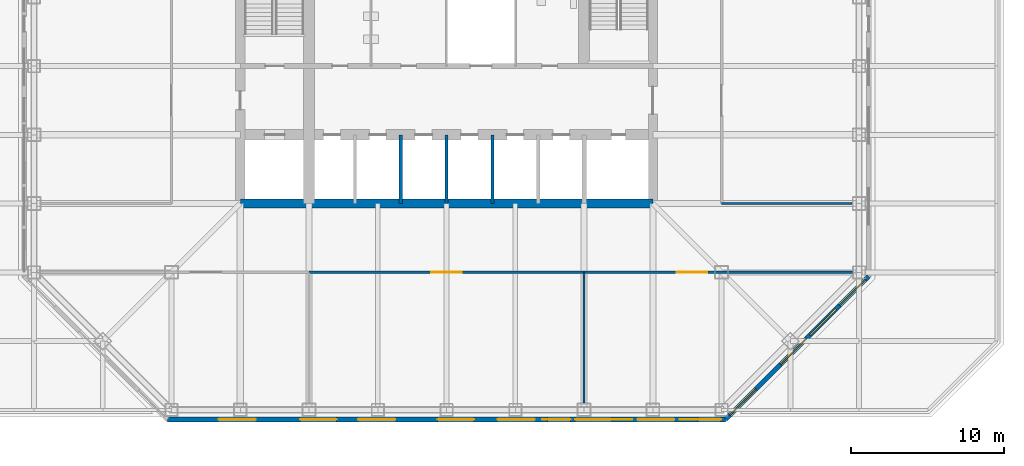
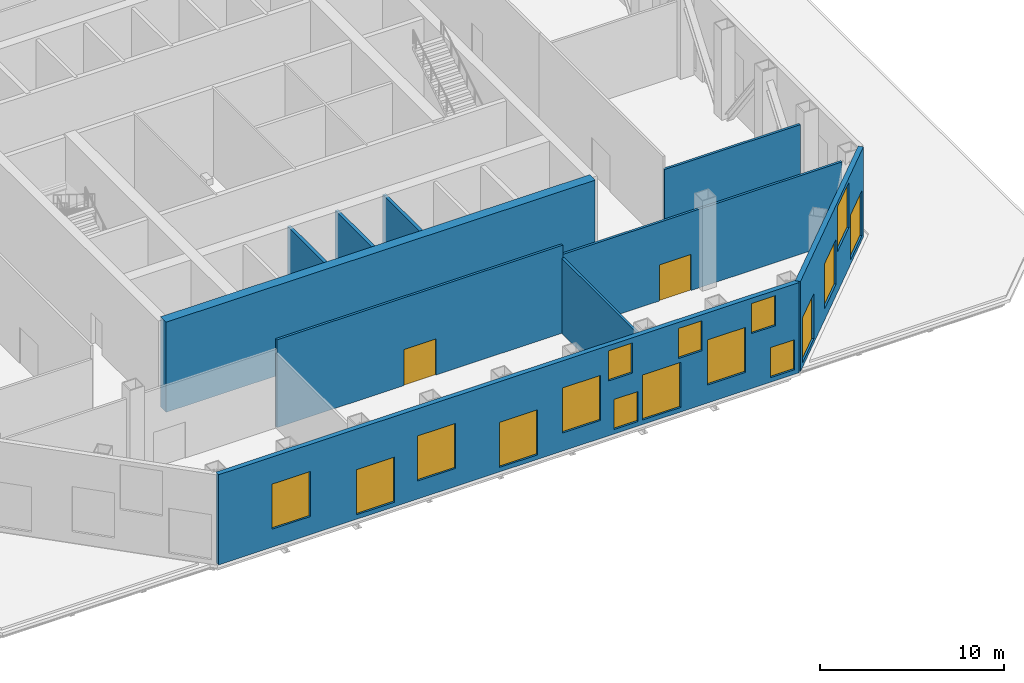
# One storey, part 4 of 10: 16 windows, 10 walls, 2 doors, 18 openings.
"""IFC4 building model written with IfcOpenShell, lengths in metres."""

from ifc_helpers import new_model, si_unit, direction, frame, frame_2d, origin, place, context, subcontext, project, spatial, rectangle, extrude, material, layer, layer_set, type_object, element, fill, save


model = new_model("IFC4")

# Units and contexts
model_context = context("Model", 3, precision=1e-05, world=origin(), true_north=direction((0.0, 1.0)))
body_context = subcontext(model_context, "Body", "Model", "MODEL_VIEW")
ifc_project = project(units=[si_unit("LENGTHUNIT", "METRE"), si_unit("AREAUNIT", "SQUARE_METRE"), si_unit("VOLUMEUNIT", "CUBIC_METRE"), si_unit("PLANEANGLEUNIT", "RADIAN"), si_unit("MASSUNIT", "GRAM", prefix="KILO")], contexts=[model_context])

# Site, building, storey
site_placement = place(None, origin())
site = spatial("IfcSite", under=ifc_project, at=site_placement, CompositionType="ELEMENT")
building_placement = place(site_placement, origin())
building = spatial("IfcBuilding", under=site, at=building_placement, Name="Corais Broadcast Tower", CompositionType="ELEMENT")
storey_placement = place(building_placement, frame((0.0, 0.0, 23.0)))
storey = spatial("IfcBuildingStorey", under=building, at=storey_placement, Name="L04", CompositionType="ELEMENT", Elevation=23.0)

# Walls
ifc_material_1 = material(Name="Concrete C50/60", Category="concrete")
ifc_layer_1 = layer(ifc_material_1, 0.60009765625)
ifc_layer_set_1 = layer_set([ifc_layer_1], Name="Concrete C50/60")
wall_type_1 = type_object("IfcWallType", Name="Core wall 600", PredefinedType="SHEAR", material=ifc_layer_set_1)
wall_1_placement = place(storey_placement, frame((13.5, 13.5, 0.0), z_axis=(0.0, 0.0, 1.0), x_axis=(1.0, 0.0, 0.0)))
element("IfcWall", 1, at=wall_1_placement, inside=storey, type_object=wall_type_1, Name="CR600 core wall S L04", PredefinedType="SHEAR", context=body_context, shape_type="SweptSolid", body=[
    extrude(rectangle(XDim=27.0, YDim=0.60009765625, at=frame_2d((13.5, 0.0))), origin(), (0.0, 0.0, 1.0), 6.0),
])
ifc_material_2 = material(Name="Two layers of fire-rated gypsum board each side on steel studs", Category="steel")
ifc_layer_2 = layer(ifc_material_2, 0.14990234375)
ifc_layer_set_2 = layer_set([ifc_layer_2], Name="Two layers of fire-rated gypsum board each side on steel studs")
wall_type_2 = type_object("IfcWallType", Name="Fire-rated partition 150 EI 60", PredefinedType="PARTITIONING", material=ifc_layer_set_2)
wall_2_placement = place(storey_placement, frame((36.0, 0.4599609375, 0.0), z_axis=(0.0, 0.0, 1.0), x_axis=(0.0, 1.0, 0.0)))
element("IfcWall", 2, at=wall_2_placement, inside=storey, type_object=wall_type_2, Name="IW7 partition L04", PredefinedType="PARTITIONING", context=body_context, shape_type="SweptSolid", body=[
    extrude(rectangle(XDim=8.5400390625, YDim=0.14990234375, at=frame_2d((4.27001953125, 0.0))), origin(), (0.0, 0.0, 1.0), 4.989013671875),
])

# Wall, opening, door
wall_3_placement = place(storey_placement, frame((36.0, 9.0, 0.0), z_axis=(0.0, 0.0, 1.0), x_axis=(-1.0, 0.0, 0.0)))
wall_3 = element("IfcWall", 3, at=wall_3_placement, inside=storey, type_object=wall_type_2, Name="IW7 partition L04", PredefinedType="PARTITIONING", context=body_context, shape_type="SweptSolid", body=[
    extrude(rectangle(XDim=18.0, YDim=0.14990234375, at=frame_2d((9.0, 0.0))), origin(), (0.0, 0.0, 1.0), 5.840087890625),
])
opening_1_placement = place(wall_3_placement, frame((8.0, 0.0, 0.0)))
opening_1 = element("IfcOpeningElement", 4, at=opening_1_placement, cuts=wall_3, Name="Opening D4", PredefinedType="OPENING", context=body_context, shape_type="SweptSolid", body=[
    extrude(rectangle(XDim=2.0, YDim=2.39990234375, at=frame_2d((1.0, 1.199951171875))), frame((0.0, 0.0849609375, 0.0), z_axis=(0.0, -1.0, 0.0), x_axis=(1.0, 0.0, 0.0)), (0.0, 0.0, 1.0), 0.169921875),
])
ifc_material_3 = material(Name="Steel door", Category="steel")
door_type = type_object("IfcDoorType", Name="Plant room door pair 2000x2400", OperationType="DOUBLE_DOOR_SINGLE_SWING", PredefinedType="DOOR", material=ifc_material_3)
door_1_placement = place(opening_1_placement, origin())
door_1 = element("IfcDoor", 5, at=door_1_placement, inside=storey, type_object=door_type, Name="D4 Electrical switch room door", OperationType="SINGLE_SWING_LEFT", OverallHeight=2.39990234375, OverallWidth=2.0, PredefinedType="DOOR", context=body_context, shape_type="SweptSolid", body=[
    extrude(rectangle(XDim=2.0, YDim=2.39990234375, at=frame_2d((1.0, 1.199951171875))), frame((0.0, 0.02490234375, 0.0), z_axis=(0.0, -1.0, 0.0), x_axis=(1.0, 0.0, 0.0)), (0.0, 0.0, 1.0), 0.050048828125),
])
fill(opening_1, door_1)

wall_4_placement = place(storey_placement, frame((53.56494140625, 9.0, 0.0), z_axis=(0.0, 0.0, 1.0), x_axis=(-1.0, 0.0, 0.0)))
wall_4 = element("IfcWall", 6, at=wall_4_placement, inside=storey, type_object=wall_type_2, Name="IW7 partition L04", PredefinedType="PARTITIONING", context=body_context, shape_type="SweptSolid", body=[
    extrude(rectangle(XDim=17.56494140625, YDim=0.14990234375, at=frame_2d((8.782470703125, 0.0))), origin(), (0.0, 0.0, 1.0), 5.22900390625),
])
opening_2_placement = place(wall_4_placement, frame((9.5, 0.0, 0.0)))
opening_2 = element("IfcOpeningElement", 7, at=opening_2_placement, cuts=wall_4, Name="Opening D4", PredefinedType="OPENING", context=body_context, shape_type="SweptSolid", body=[
    extrude(rectangle(XDim=2.0, YDim=2.39990234375, at=frame_2d((1.0, 1.199951171875))), frame((0.0, 0.0849609375, 0.0), z_axis=(0.0, -1.0, 0.0), x_axis=(1.0, 0.0, 0.0)), (0.0, 0.0, 1.0), 0.169921875),
])
door_2_placement = place(opening_2_placement, origin())
door_2 = element("IfcDoor", 8, at=door_2_placement, inside=storey, type_object=door_type, Name="D4 Air handling plant room door", OperationType="SINGLE_SWING_LEFT", OverallHeight=2.39990234375, OverallWidth=2.0, PredefinedType="DOOR", context=body_context, shape_type="SweptSolid", body=[
    extrude(rectangle(XDim=2.0, YDim=2.39990234375, at=frame_2d((1.0, 1.199951171875))), frame((0.0, 0.02490234375, 0.0), z_axis=(0.0, -1.0, 0.0), x_axis=(1.0, 0.0, 0.0)), (0.0, 0.0, 1.0), 0.050048828125),
])
fill(opening_2, door_2)

# Walls
wall_5_placement = place(storey_placement, frame((45.0, 13.5, 0.0), z_axis=(0.0, 0.0, 1.0), x_axis=(1.0, 0.0, 0.0)))
element("IfcWall", 9, at=wall_5_placement, inside=storey, type_object=wall_type_2, Name="IW7 partition L04", PredefinedType="PARTITIONING", context=body_context, shape_type="SweptSolid", body=[
    extrude(rectangle(XDim=8.5400390625, YDim=0.14990234375, at=frame_2d((4.27001953125, 0.0))), origin(), (0.0, 0.0, 1.0), 4.989013671875),
])
ifc_material_4 = material(Name="Concrete blockwork class A, grouted, two-hour", Category="masonry")
ifc_layer_3 = layer(ifc_material_4, 0.199951171875)
ifc_layer_set_3 = layer_set([ifc_layer_3], Name="Concrete blockwork class A, grouted, two-hour")
wall_type_3 = type_object("IfcWallType", Name="Shaft wall 200", PredefinedType="PARTITIONING", material=ifc_layer_set_3)
for number, where, z_axis, x_axis, name in (
    (10, (24.0, 13.5, 0.0), (0.0, 0.0, 1.0), (0.0, 1.0, 0.0), "IW1 shaft wall L04"),
    (11, (27.0, 13.5, 0.0), (0.0, 0.0, 1.0), (0.0, 1.0, 0.0), "IW1 shaft wall L04"),
    (12, (30.0, 13.5, 0.0), (0.0, 0.0, 1.0), (0.0, 1.0, 0.0), "IW1 shaft wall L04"),
):
    element("IfcWall", number, at=place(storey_placement, frame(where, z_axis=z_axis, x_axis=x_axis)), inside=storey, type_object=wall_type_3, Name=name, PredefinedType="PARTITIONING", context=body_context, shape_type="SweptSolid", body=[
        extrude(rectangle(XDim=4.5, YDim=0.199951171875, at=frame_2d((2.25, 0.0))), origin(), (0.0, 0.0, 1.0), 5.840087890625),
    ])

# Wall, openings, windows
ifc_material_5 = material(Name="Precast concrete C40/50", Category="concrete")
ifc_layer_4 = layer(ifc_material_5, 0.300048828125)
ifc_layer_set_4 = layer_set([ifc_layer_4], Name="Precast concrete C40/50")
wall_type_4 = type_object("IfcWallType", Name="Stone-faced precast wall 300", PredefinedType="SOLIDWALL", material=ifc_layer_set_4)
wall_6_placement = place(storey_placement, frame((54.6298828125, 8.739013671875, 0.0), z_axis=(0.0, 0.0, 1.0), x_axis=(-0.707106781187, -0.707106781187, 0.0)))
wall_6 = element("IfcWall", 13, at=wall_6_placement, inside=storey, type_object=wall_type_4, Name="EW1 external wall L04 7", PredefinedType="SOLIDWALL", context=body_context, shape_type="SweptSolid", body=[
    extrude(rectangle(XDim=13.24951171875, YDim=0.300048828125, at=frame_2d((6.624755859375, 0.0))), origin(), (0.0, 0.0, 1.0), 6.0),
])
opening_3_placement = place(wall_6_placement, frame((0.300048828125, 0.0, 0.300048828125)))
opening_3 = element("IfcOpeningElement", 14, at=opening_3_placement, cuts=wall_6, Name="Opening LV1", PredefinedType="OPENING", context=body_context, shape_type="SweptSolid", body=[
    extrude(rectangle(XDim=2.39990234375, YDim=3.0, at=frame_2d((1.199951171875, 1.5))), frame((0.0, 0.159912109375, 0.0), z_axis=(0.0, -1.0, 0.0), x_axis=(1.0, 0.0, 0.0)), (0.0, 0.0, 1.0), 0.320068359375),
])
opening_4_placement = place(wall_6_placement, frame((3.050048828125, 0.0, 2.699951171875)))
opening_4 = element("IfcOpeningElement", 15, at=opening_4_placement, cuts=wall_6, Name="Opening LV1", PredefinedType="OPENING", context=body_context, shape_type="SweptSolid", body=[
    extrude(rectangle(XDim=2.39990234375, YDim=3.0, at=frame_2d((1.199951171875, 1.5))), frame((0.0, 0.159912109375, 0.0), z_axis=(0.0, -1.0, 0.0), x_axis=(1.0, 0.0, 0.0)), (0.0, 0.0, 1.0), 0.320068359375),
])
opening_5_placement = place(wall_6_placement, frame((5.75, 0.0, 0.75)))
opening_5 = element("IfcOpeningElement", 16, at=opening_5_placement, cuts=wall_6, Name="Opening LV1", PredefinedType="OPENING", context=body_context, shape_type="SweptSolid", body=[
    extrude(rectangle(XDim=2.39990234375, YDim=3.0, at=frame_2d((1.199951171875, 1.5))), frame((0.0, 0.159912109375, 0.0), z_axis=(0.0, -1.0, 0.0), x_axis=(1.0, 0.0, 0.0)), (0.0, 0.0, 1.0), 0.320068359375),
])
opening_6_placement = place(wall_6_placement, frame((10.449951171875, 0.0, 0.300048828125)))
opening_6 = element("IfcOpeningElement", 17, at=opening_6_placement, cuts=wall_6, Name="Opening LV1", PredefinedType="OPENING", context=body_context, shape_type="SweptSolid", body=[
    extrude(rectangle(XDim=2.39990234375, YDim=3.0, at=frame_2d((1.199951171875, 1.5))), frame((0.0, 0.159912109375, 0.0), z_axis=(0.0, -1.0, 0.0), x_axis=(1.0, 0.0, 0.0)), (0.0, 0.0, 1.0), 0.320068359375),
])
ifc_material_6 = material(Name="Aluminium frame", Category="aluminium")
window_type_1 = type_object("IfcWindowType", Name="Plant louvre 2400x3000", PartitioningType="SINGLE_PANEL", PredefinedType="USERDEFINED", material=ifc_material_6)
window_1_placement = place(opening_3_placement, origin())
window_1 = element("IfcWindow", 18, at=window_1_placement, inside=storey, type_object=window_type_1, Name="LV1 window L04", ObjectType="LOUVRE", OverallHeight=3.0, OverallWidth=2.39990234375, PartitioningType="SINGLE_PANEL", PredefinedType="USERDEFINED", context=body_context, shape_type="SweptSolid", body=[
    extrude(rectangle(XDim=2.39990234375, YDim=3.0, at=frame_2d((1.199951171875, 1.5))), frame((0.0, 0.030029296875, 0.0), z_axis=(0.0, -1.0, 0.0), x_axis=(1.0, 0.0, 0.0)), (0.0, 0.0, 1.0), 0.06005859375),
])
fill(opening_3, window_1)
window_2_placement = place(opening_4_placement, origin())
window_2 = element("IfcWindow", 19, at=window_2_placement, inside=storey, type_object=window_type_1, Name="LV1 window L04", ObjectType="LOUVRE", OverallHeight=3.0, OverallWidth=2.39990234375, PartitioningType="SINGLE_PANEL", PredefinedType="USERDEFINED", context=body_context, shape_type="SweptSolid", body=[
    extrude(rectangle(XDim=2.39990234375, YDim=3.0, at=frame_2d((1.199951171875, 1.5))), frame((0.0, 0.030029296875, 0.0), z_axis=(0.0, -1.0, 0.0), x_axis=(1.0, 0.0, 0.0)), (0.0, 0.0, 1.0), 0.06005859375),
])
fill(opening_4, window_2)
window_3_placement = place(opening_5_placement, origin())
window_3 = element("IfcWindow", 20, at=window_3_placement, inside=storey, type_object=window_type_1, Name="LV1 window L04", ObjectType="LOUVRE", OverallHeight=3.0, OverallWidth=2.39990234375, PartitioningType="SINGLE_PANEL", PredefinedType="USERDEFINED", context=body_context, shape_type="SweptSolid", body=[
    extrude(rectangle(XDim=2.39990234375, YDim=3.0, at=frame_2d((1.199951171875, 1.5))), frame((0.0, 0.030029296875, 0.0), z_axis=(0.0, -1.0, 0.0), x_axis=(1.0, 0.0, 0.0)), (0.0, 0.0, 1.0), 0.06005859375),
])
fill(opening_5, window_3)
window_4_placement = place(opening_6_placement, origin())
window_4 = element("IfcWindow", 21, at=window_4_placement, inside=storey, type_object=window_type_1, Name="LV1 window L04", ObjectType="LOUVRE", OverallHeight=3.0, OverallWidth=2.39990234375, PartitioningType="SINGLE_PANEL", PredefinedType="USERDEFINED", context=body_context, shape_type="SweptSolid", body=[
    extrude(rectangle(XDim=2.39990234375, YDim=3.0, at=frame_2d((1.199951171875, 1.5))), frame((0.0, 0.030029296875, 0.0), z_axis=(0.0, -1.0, 0.0), x_axis=(1.0, 0.0, 0.0)), (0.0, 0.0, 1.0), 0.06005859375),
])
fill(opening_6, window_4)

wall_7_placement = place(storey_placement, frame((45.260986328125, -0.6298828125, 0.0), z_axis=(0.0, 0.0, 1.0), x_axis=(-1.0, 0.0, 0.0)))
wall_7 = element("IfcWall", 22, at=wall_7_placement, inside=storey, type_object=wall_type_4, Name="EW1 external wall L04 8", PredefinedType="SOLIDWALL", context=body_context, shape_type="SweptSolid", body=[
    extrude(rectangle(XDim=36.52197265625, YDim=0.300048828125, at=frame_2d((18.260986328125, 0.0))), origin(), (0.0, 0.0, 1.0), 6.0),
])
opening_7_placement = place(wall_7_placement, frame((0.300048828125, 0.0, 0.300048828125)))
opening_7 = element("IfcOpeningElement", 23, at=opening_7_placement, cuts=wall_7, Name="Opening LV3", PredefinedType="OPENING", context=body_context, shape_type="SweptSolid", body=[
    extrude(rectangle(XDim=1.5, YDim=2.0, at=frame_2d((0.75, 1.0))), frame((0.0, 0.159912109375, 0.0), z_axis=(0.0, -1.0, 0.0), x_axis=(1.0, 0.0, 0.0)), (0.0, 0.0, 1.0), 0.320068359375),
])
opening_8_placement = place(wall_7_placement, frame((3.365234375, 0.0, 1.199951171875)))
opening_8 = element("IfcOpeningElement", 24, at=opening_8_placement, cuts=wall_7, Name="Opening LV1", PredefinedType="OPENING", context=body_context, shape_type="SweptSolid", body=[
    extrude(rectangle(XDim=2.39990234375, YDim=3.0, at=frame_2d((1.199951171875, 1.5))), frame((0.0, 0.159912109375, 0.0), z_axis=(0.0, -1.0, 0.0), x_axis=(1.0, 0.0, 0.0)), (0.0, 0.0, 1.0), 0.320068359375),
])
opening_9_placement = place(wall_7_placement, frame((1.5, 0.0, 3.64990234375)))
opening_9 = element("IfcOpeningElement", 25, at=opening_9_placement, cuts=wall_7, Name="Opening LV3", PredefinedType="OPENING", context=body_context, shape_type="SweptSolid", body=[
    extrude(rectangle(XDim=1.5, YDim=2.0, at=frame_2d((0.75, 1.0))), frame((0.0, 0.159912109375, 0.0), z_axis=(0.0, -1.0, 0.0), x_axis=(1.0, 0.0, 0.0)), (0.0, 0.0, 1.0), 0.320068359375),
])
opening_10_placement = place(wall_7_placement, frame((6.10009765625, 0.0, 3.60009765625)))
opening_10 = element("IfcOpeningElement", 26, at=opening_10_placement, cuts=wall_7, Name="Opening LV3", PredefinedType="OPENING", context=body_context, shape_type="SweptSolid", body=[
    extrude(rectangle(XDim=1.5, YDim=2.0, at=frame_2d((0.75, 1.0))), frame((0.0, 0.159912109375, 0.0), z_axis=(0.0, -1.0, 0.0), x_axis=(1.0, 0.0, 0.0)), (0.0, 0.0, 1.0), 0.320068359375),
])
opening_11_placement = place(wall_7_placement, frame((12.495849609375, 0.0, 1.199951171875)))
opening_11 = element("IfcOpeningElement", 27, at=opening_11_placement, cuts=wall_7, Name="Opening LV1", PredefinedType="OPENING", context=body_context, shape_type="SweptSolid", body=[
    extrude(rectangle(XDim=2.39990234375, YDim=3.0, at=frame_2d((1.199951171875, 1.5))), frame((0.0, 0.159912109375, 0.0), z_axis=(0.0, -1.0, 0.0), x_axis=(1.0, 0.0, 0.0)), (0.0, 0.0, 1.0), 0.320068359375),
])
opening_12_placement = place(wall_7_placement, frame((7.449951171875, 0.0, 0.300048828125)))
opening_12 = element("IfcOpeningElement", 28, at=opening_12_placement, cuts=wall_7, Name="Opening LV1", PredefinedType="OPENING", context=body_context, shape_type="SweptSolid", body=[
    extrude(rectangle(XDim=2.39990234375, YDim=3.0, at=frame_2d((1.199951171875, 1.5))), frame((0.0, 0.159912109375, 0.0), z_axis=(0.0, -1.0, 0.0), x_axis=(1.0, 0.0, 0.0)), (0.0, 0.0, 1.0), 0.320068359375),
])
opening_13_placement = place(wall_7_placement, frame((10.14990234375, 0.0, 0.300048828125)))
opening_13 = element("IfcOpeningElement", 29, at=opening_13_placement, cuts=wall_7, Name="Opening LV3", PredefinedType="OPENING", context=body_context, shape_type="SweptSolid", body=[
    extrude(rectangle(XDim=1.5, YDim=2.0, at=frame_2d((0.75, 1.0))), frame((0.0, 0.159912109375, 0.0), z_axis=(0.0, -1.0, 0.0), x_axis=(1.0, 0.0, 0.0)), (0.0, 0.0, 1.0), 0.320068359375),
])
opening_14_placement = place(wall_7_placement, frame((21.626220703125, 0.0, 1.199951171875)))
opening_14 = element("IfcOpeningElement", 30, at=opening_14_placement, cuts=wall_7, Name="Opening LV1", PredefinedType="OPENING", context=body_context, shape_type="SweptSolid", body=[
    extrude(rectangle(XDim=2.39990234375, YDim=3.0, at=frame_2d((1.199951171875, 1.5))), frame((0.0, 0.159912109375, 0.0), z_axis=(0.0, -1.0, 0.0), x_axis=(1.0, 0.0, 0.0)), (0.0, 0.0, 1.0), 0.320068359375),
])
opening_15_placement = place(wall_7_placement, frame((10.5, 0.0, 3.64990234375)))
opening_15 = element("IfcOpeningElement", 31, at=opening_15_placement, cuts=wall_7, Name="Opening LV3", PredefinedType="OPENING", context=body_context, shape_type="SweptSolid", body=[
    extrude(rectangle(XDim=1.5, YDim=2.0, at=frame_2d((0.75, 1.0))), frame((0.0, 0.159912109375, 0.0), z_axis=(0.0, -1.0, 0.0), x_axis=(1.0, 0.0, 0.0)), (0.0, 0.0, 1.0), 0.320068359375),
])
opening_16_placement = place(wall_7_placement, frame((16.449951171875, 0.0, 0.300048828125)))
opening_16 = element("IfcOpeningElement", 32, at=opening_16_placement, cuts=wall_7, Name="Opening LV1", PredefinedType="OPENING", context=body_context, shape_type="SweptSolid", body=[
    extrude(rectangle(XDim=2.39990234375, YDim=3.0, at=frame_2d((1.199951171875, 1.5))), frame((0.0, 0.159912109375, 0.0), z_axis=(0.0, -1.0, 0.0), x_axis=(1.0, 0.0, 0.0)), (0.0, 0.0, 1.0), 0.320068359375),
])
opening_17_placement = place(wall_7_placement, frame((30.7568359375, 0.0, 1.199951171875)))
opening_17 = element("IfcOpeningElement", 33, at=opening_17_placement, cuts=wall_7, Name="Opening LV1", PredefinedType="OPENING", context=body_context, shape_type="SweptSolid", body=[
    extrude(rectangle(XDim=2.39990234375, YDim=3.0, at=frame_2d((1.199951171875, 1.5))), frame((0.0, 0.159912109375, 0.0), z_axis=(0.0, -1.0, 0.0), x_axis=(1.0, 0.0, 0.0)), (0.0, 0.0, 1.0), 0.320068359375),
])
opening_18_placement = place(wall_7_placement, frame((25.449951171875, 0.0, 0.300048828125)))
opening_18 = element("IfcOpeningElement", 34, at=opening_18_placement, cuts=wall_7, Name="Opening LV1", PredefinedType="OPENING", context=body_context, shape_type="SweptSolid", body=[
    extrude(rectangle(XDim=2.39990234375, YDim=3.0, at=frame_2d((1.199951171875, 1.5))), frame((0.0, 0.159912109375, 0.0), z_axis=(0.0, -1.0, 0.0), x_axis=(1.0, 0.0, 0.0)), (0.0, 0.0, 1.0), 0.320068359375),
])
ifc_material_7 = material(Name="Aluminium frame", Category="aluminium")
window_type_2 = type_object("IfcWindowType", Name="Plant louvre 1500x2000", PartitioningType="SINGLE_PANEL", PredefinedType="USERDEFINED", material=ifc_material_7)
window_5_placement = place(opening_7_placement, origin())
window_5 = element("IfcWindow", 35, at=window_5_placement, inside=storey, type_object=window_type_2, Name="LV3 window L04", ObjectType="LOUVRE", OverallHeight=2.0, OverallWidth=1.5, PartitioningType="SINGLE_PANEL", PredefinedType="USERDEFINED", context=body_context, shape_type="SweptSolid", body=[
    extrude(rectangle(XDim=1.5, YDim=2.0, at=frame_2d((0.75, 1.0))), frame((0.0, 0.030029296875, 0.0), z_axis=(0.0, -1.0, 0.0), x_axis=(1.0, 0.0, 0.0)), (0.0, 0.0, 1.0), 0.06005859375),
])
fill(opening_7, window_5)
window_6_placement = place(opening_9_placement, origin())
window_6 = element("IfcWindow", 36, at=window_6_placement, inside=storey, type_object=window_type_2, Name="LV3 window L04", ObjectType="LOUVRE", OverallHeight=2.0, OverallWidth=1.5, PartitioningType="SINGLE_PANEL", PredefinedType="USERDEFINED", context=body_context, shape_type="SweptSolid", body=[
    extrude(rectangle(XDim=1.5, YDim=2.0, at=frame_2d((0.75, 1.0))), frame((0.0, 0.030029296875, 0.0), z_axis=(0.0, -1.0, 0.0), x_axis=(1.0, 0.0, 0.0)), (0.0, 0.0, 1.0), 0.06005859375),
])
fill(opening_9, window_6)
window_7_placement = place(opening_10_placement, origin())
window_7 = element("IfcWindow", 37, at=window_7_placement, inside=storey, type_object=window_type_2, Name="LV3 window L04", ObjectType="LOUVRE", OverallHeight=2.0, OverallWidth=1.5, PartitioningType="SINGLE_PANEL", PredefinedType="USERDEFINED", context=body_context, shape_type="SweptSolid", body=[
    extrude(rectangle(XDim=1.5, YDim=2.0, at=frame_2d((0.75, 1.0))), frame((0.0, 0.030029296875, 0.0), z_axis=(0.0, -1.0, 0.0), x_axis=(1.0, 0.0, 0.0)), (0.0, 0.0, 1.0), 0.06005859375),
])
fill(opening_10, window_7)
window_8_placement = place(opening_13_placement, origin())
window_8 = element("IfcWindow", 38, at=window_8_placement, inside=storey, type_object=window_type_2, Name="LV3 window L04", ObjectType="LOUVRE", OverallHeight=2.0, OverallWidth=1.5, PartitioningType="SINGLE_PANEL", PredefinedType="USERDEFINED", context=body_context, shape_type="SweptSolid", body=[
    extrude(rectangle(XDim=1.5, YDim=2.0, at=frame_2d((0.75, 1.0))), frame((0.0, 0.030029296875, 0.0), z_axis=(0.0, -1.0, 0.0), x_axis=(1.0, 0.0, 0.0)), (0.0, 0.0, 1.0), 0.06005859375),
])
fill(opening_13, window_8)
window_9_placement = place(opening_15_placement, origin())
window_9 = element("IfcWindow", 39, at=window_9_placement, inside=storey, type_object=window_type_2, Name="LV3 window L04", ObjectType="LOUVRE", OverallHeight=2.0, OverallWidth=1.5, PartitioningType="SINGLE_PANEL", PredefinedType="USERDEFINED", context=body_context, shape_type="SweptSolid", body=[
    extrude(rectangle(XDim=1.5, YDim=2.0, at=frame_2d((0.75, 1.0))), frame((0.0, 0.030029296875, 0.0), z_axis=(0.0, -1.0, 0.0), x_axis=(1.0, 0.0, 0.0)), (0.0, 0.0, 1.0), 0.06005859375),
])
fill(opening_15, window_9)
window_10_placement = place(opening_8_placement, origin())
window_10 = element("IfcWindow", 40, at=window_10_placement, inside=storey, type_object=window_type_1, Name="LV1 window L04", ObjectType="LOUVRE", OverallHeight=3.0, OverallWidth=2.39990234375, PartitioningType="SINGLE_PANEL", PredefinedType="USERDEFINED", context=body_context, shape_type="SweptSolid", body=[
    extrude(rectangle(XDim=2.39990234375, YDim=3.0, at=frame_2d((1.199951171875, 1.5))), frame((0.0, 0.030029296875, 0.0), z_axis=(0.0, -1.0, 0.0), x_axis=(1.0, 0.0, 0.0)), (0.0, 0.0, 1.0), 0.06005859375),
])
fill(opening_8, window_10)
window_11_placement = place(opening_11_placement, origin())
window_11 = element("IfcWindow", 41, at=window_11_placement, inside=storey, type_object=window_type_1, Name="LV1 window L04", ObjectType="LOUVRE", OverallHeight=3.0, OverallWidth=2.39990234375, PartitioningType="SINGLE_PANEL", PredefinedType="USERDEFINED", context=body_context, shape_type="SweptSolid", body=[
    extrude(rectangle(XDim=2.39990234375, YDim=3.0, at=frame_2d((1.199951171875, 1.5))), frame((0.0, 0.030029296875, 0.0), z_axis=(0.0, -1.0, 0.0), x_axis=(1.0, 0.0, 0.0)), (0.0, 0.0, 1.0), 0.06005859375),
])
fill(opening_11, window_11)
window_12_placement = place(opening_12_placement, origin())
window_12 = element("IfcWindow", 42, at=window_12_placement, inside=storey, type_object=window_type_1, Name="LV1 window L04", ObjectType="LOUVRE", OverallHeight=3.0, OverallWidth=2.39990234375, PartitioningType="SINGLE_PANEL", PredefinedType="USERDEFINED", context=body_context, shape_type="SweptSolid", body=[
    extrude(rectangle(XDim=2.39990234375, YDim=3.0, at=frame_2d((1.199951171875, 1.5))), frame((0.0, 0.030029296875, 0.0), z_axis=(0.0, -1.0, 0.0), x_axis=(1.0, 0.0, 0.0)), (0.0, 0.0, 1.0), 0.06005859375),
])
fill(opening_12, window_12)
window_13_placement = place(opening_14_placement, origin())
window_13 = element("IfcWindow", 43, at=window_13_placement, inside=storey, type_object=window_type_1, Name="LV1 window L04", ObjectType="LOUVRE", OverallHeight=3.0, OverallWidth=2.39990234375, PartitioningType="SINGLE_PANEL", PredefinedType="USERDEFINED", context=body_context, shape_type="SweptSolid", body=[
    extrude(rectangle(XDim=2.39990234375, YDim=3.0, at=frame_2d((1.199951171875, 1.5))), frame((0.0, 0.030029296875, 0.0), z_axis=(0.0, -1.0, 0.0), x_axis=(1.0, 0.0, 0.0)), (0.0, 0.0, 1.0), 0.06005859375),
])
fill(opening_14, window_13)
window_14_placement = place(opening_16_placement, origin())
window_14 = element("IfcWindow", 44, at=window_14_placement, inside=storey, type_object=window_type_1, Name="LV1 window L04", ObjectType="LOUVRE", OverallHeight=3.0, OverallWidth=2.39990234375, PartitioningType="SINGLE_PANEL", PredefinedType="USERDEFINED", context=body_context, shape_type="SweptSolid", body=[
    extrude(rectangle(XDim=2.39990234375, YDim=3.0, at=frame_2d((1.199951171875, 1.5))), frame((0.0, 0.030029296875, 0.0), z_axis=(0.0, -1.0, 0.0), x_axis=(1.0, 0.0, 0.0)), (0.0, 0.0, 1.0), 0.06005859375),
])
fill(opening_16, window_14)
window_15_placement = place(opening_17_placement, origin())
window_15 = element("IfcWindow", 45, at=window_15_placement, inside=storey, type_object=window_type_1, Name="LV1 window L04", ObjectType="LOUVRE", OverallHeight=3.0, OverallWidth=2.39990234375, PartitioningType="SINGLE_PANEL", PredefinedType="USERDEFINED", context=body_context, shape_type="SweptSolid", body=[
    extrude(rectangle(XDim=2.39990234375, YDim=3.0, at=frame_2d((1.199951171875, 1.5))), frame((0.0, 0.030029296875, 0.0), z_axis=(0.0, -1.0, 0.0), x_axis=(1.0, 0.0, 0.0)), (0.0, 0.0, 1.0), 0.06005859375),
])
fill(opening_17, window_15)
window_16_placement = place(opening_18_placement, origin())
window_16 = element("IfcWindow", 46, at=window_16_placement, inside=storey, type_object=window_type_1, Name="LV1 window L04", ObjectType="LOUVRE", OverallHeight=3.0, OverallWidth=2.39990234375, PartitioningType="SINGLE_PANEL", PredefinedType="USERDEFINED", context=body_context, shape_type="SweptSolid", body=[
    extrude(rectangle(XDim=2.39990234375, YDim=3.0, at=frame_2d((1.199951171875, 1.5))), frame((0.0, 0.030029296875, 0.0), z_axis=(0.0, -1.0, 0.0), x_axis=(1.0, 0.0, 0.0)), (0.0, 0.0, 1.0), 0.06005859375),
])
fill(opening_18, window_16)

save(model, "model.ifc")
